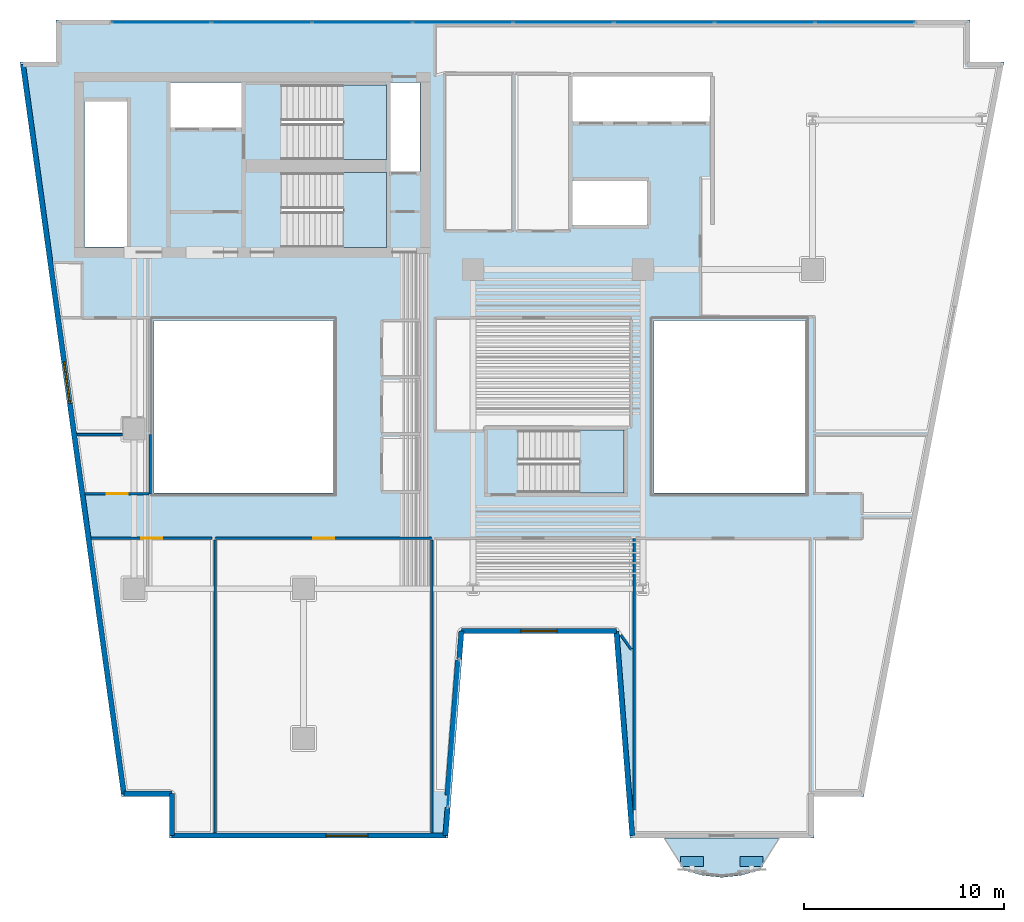
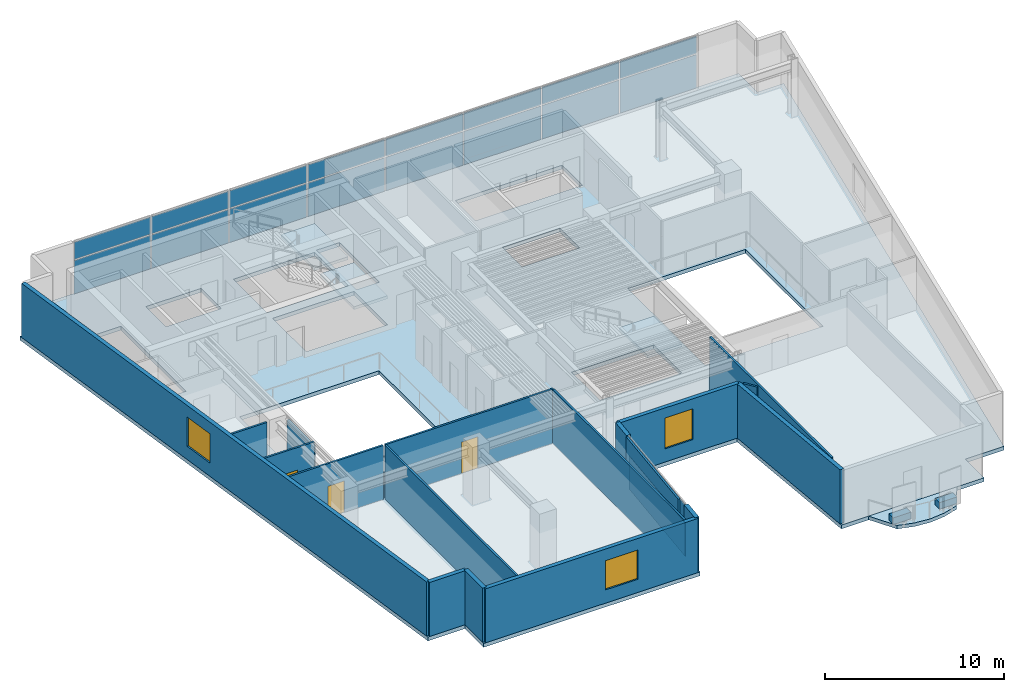
# One storey, part 5 of 13: 20 plates, 18 walls, 5 slabs, 3 doors, 3 windows, 6 openings, 5 elements without a shape of their own.
"""IFC4 building model written with IfcOpenShell, lengths in metres."""

import ifcopenshell
import ifcopenshell.guid

model = None  # the IFC model being written
_history = None  # IfcOwnerHistory: only IFC2X3 demands one
_inside = {}  # id of a spatial element -> (the spatial element, [elements in it])
_under = {}  # id of a project, library or spatial element -> (it, [spatial elements below it])
_declared = {}  # id of a project -> (the project, [libraries it declares])
_typed = {}  # id of a type object -> (the type object, [elements of that type])
_made_of = {}  # id of a material, layer set ... -> (it, [elements and type objects made of it])


def new_model(schema):
    """Start an empty IFC model of exactly this schema.

    Asked for "IFC4X3", IfcOpenShell would pick the latest addendum, in which some entities
    have other attributes; the version numbers below select the first issue.
    IFC2X3 requires an IfcOwnerHistory on every rooted entity: one is made here for all.
    """
    global model, _history
    if schema == "IFC4X3":
        model = ifcopenshell.file(schema_version=(4, 3, 0, 0))
    else:
        model = ifcopenshell.file(schema=schema)
    _inside.clear()
    _under.clear()
    _declared.clear()
    _typed.clear()
    _made_of.clear()
    _history = None
    if model.schema == "IFC2X3":
        org = make("IfcOrganization", Name="unknown")
        user = make(
            "IfcPersonAndOrganization",
            ThePerson=make("IfcPerson", FamilyName="unknown"),
            TheOrganization=org,
        )
        app = make(
            "IfcApplication",
            ApplicationDeveloper=org,
            Version="unknown",
            ApplicationFullName="unknown",
            ApplicationIdentifier="unknown",
        )
        _history = make(
            "IfcOwnerHistory",
            OwningUser=user,
            OwningApplication=app,
            ChangeAction="ADDED",
            CreationDate=0,
        )
    return model


def make(cls, **values):
    """One entity of the class cls with the attributes given. An attribute that is None is left unset."""
    return model.create_entity(
        cls, **{name: value for name, value in values.items() if value is not None}
    )


def rooted(cls, **values):
    """An entity with a GlobalId (a new one), such as an element, a storey or a relation."""
    return make(cls, GlobalId=ifcopenshell.guid.new(), OwnerHistory=_history, **values)


def si_unit(unit_type, name, prefix=None):
    """IfcSIUnit, for example si_unit("LENGTHUNIT", "METRE", prefix="MILLI")."""
    return make("IfcSIUnit", UnitType=unit_type, Prefix=prefix, Name=name)


def assignment(units):
    """IfcUnitAssignment: the units of a project."""
    return None if units is None else make("IfcUnitAssignment", Units=units)


def point(xyz):
    """IfcCartesianPoint."""
    return None if xyz is None else make("IfcCartesianPoint", Coordinates=xyz)


def direction(xyz):
    """IfcDirection."""
    return None if xyz is None else make("IfcDirection", DirectionRatios=xyz)


def frame(location, z_axis=None, x_axis=None):
    """IfcAxis2Placement3D, a coordinate frame: its origin and axes. An axis left out is left unset."""
    return make(
        "IfcAxis2Placement3D",
        Location=point(location),
        Axis=direction(z_axis),
        RefDirection=direction(x_axis),
    )


def frame_2d(location, x_axis=None):
    """IfcAxis2Placement2D, a coordinate frame in the plane: its origin and x axis."""
    return make(
        "IfcAxis2Placement2D", Location=point(location), RefDirection=direction(x_axis)
    )


def origin():
    """The frame at (0, 0, 0) with its axes left unset."""
    return frame((0.0, 0.0, 0.0))


def origin_2d():
    """The frame at (0, 0) in the plane with its x axis left unset."""
    return frame_2d((0.0, 0.0))


def place(relative_to, where):
    """IfcLocalPlacement: puts the frame where relative to a parent placement (None: the world)."""
    return make(
        "IfcLocalPlacement", PlacementRelTo=relative_to, RelativePlacement=where
    )


def context(
    kind, dimensions, precision=None, world=None, true_north=None, identifier=None
):
    """IfcGeometricRepresentationContext, for example the 3D "Model" context."""
    return make(
        "IfcGeometricRepresentationContext",
        ContextIdentifier=identifier,
        ContextType=kind,
        CoordinateSpaceDimension=dimensions,
        Precision=precision,
        WorldCoordinateSystem=world,
        TrueNorth=true_north,
    )


def subcontext(parent, identifier, kind, view, scale=None):
    """IfcGeometricRepresentationSubContext, for example "Body" below "Model"."""
    return make(
        "IfcGeometricRepresentationSubContext",
        ContextIdentifier=identifier,
        ContextType=kind,
        ParentContext=parent,
        TargetScale=scale,
        TargetView=view,
    )


def project(units=None, contexts=None):
    """IfcProject with its units and contexts."""
    return rooted(
        "IfcProject",
        Name="project",
        RepresentationContexts=contexts,
        UnitsInContext=assignment(units),
    )


def spatial(cls, under=None, at=None, **own):
    """A site, building, storey or space (cls), placed at a placement, below another one or the project."""
    s = rooted(cls, ObjectPlacement=at, **own)
    if under is not None:
        _under.setdefault(under.id(), (under, []))[1].append(s)
    return s


def polyline(points):
    """IfcPolyline through the points."""
    return make("IfcPolyline", Points=[point(p) for p in points])


def profile(cls, at=None, kind="AREA", **sizes):
    """A parametric profile (cls). Its sizes go by their IFC names, for example OverallWidth=200.0."""
    return make(cls, ProfileType=kind, Position=at, **sizes)


def rectangle(**sizes):
    """IfcRectangleProfileDef."""
    return profile("IfcRectangleProfileDef", **sizes)


def outline(outer, holes=None, kind="AREA"):
    """IfcArbitraryClosedProfileDef: a profile drawn as a closed curve; with holes, ...WithVoids."""
    if holes is None:
        return make("IfcArbitraryClosedProfileDef", ProfileType=kind, OuterCurve=outer)
    return make(
        "IfcArbitraryProfileDefWithVoids",
        ProfileType=kind,
        OuterCurve=outer,
        InnerCurves=holes,
    )


def extrude(swept, where, along, depth):
    """IfcExtrudedAreaSolid: the profile swept, set in the frame where, extruded along a direction by depth."""
    return make(
        "IfcExtrudedAreaSolid",
        SweptArea=swept,
        Position=where,
        ExtrudedDirection=direction(along),
        Depth=depth,
    )


def shape(context_of_items, identifier, shape_type, items):
    """IfcShapeRepresentation: the items that make up one representation, for example the "Body"."""
    return make(
        "IfcShapeRepresentation",
        ContextOfItems=context_of_items,
        RepresentationIdentifier=identifier,
        RepresentationType=shape_type,
        Items=items,
    )


def material(Name=None, Category=None):
    """IfcMaterial."""
    return make("IfcMaterial", Name=Name, Category=Category)


def layer(
    of_material, thickness, ventilated=None, Name=None, Category=None, Priority=None
):
    """IfcMaterialLayer: one layer of a wall or slab, of a material (None: an air gap)."""
    return make(
        "IfcMaterialLayer",
        Material=of_material,
        LayerThickness=thickness,
        IsVentilated=ventilated,
        Name=Name,
        Category=Category,
        Priority=Priority,
    )


def layer_set(layers, Name=None):
    """IfcMaterialLayerSet."""
    return make("IfcMaterialLayerSet", MaterialLayers=layers, LayerSetName=Name)


def made_of(thing, what):
    """Note that an element or type object is made of a material, layer set ...; save() writes the relation."""
    if what is not None:
        _made_of.setdefault(what.id(), (what, []))[1].append(thing)
    return thing


def type_object(cls, material=None, **own):
    """A type object (cls), such as IfcWallType, which elements share."""
    return made_of(rooted(cls, **own), material)


def element(
    cls,
    number,
    at=None,
    inside=None,
    cuts=None,
    type_object=None,
    material=None,
    context=None,
    identifier="Body",
    shape_type=None,
    held_by="IfcProductDefinitionShape",
    body=None,
    shapes=None,
    **own,
):
    """One element of the class cls, such as IfcWall. Its Tag is "e" and its number.

    at: its placement. inside: the storey or other place that contains it. cuts: it is an
    opening in that element (IfcRelVoidsElement). A single representation is given by context,
    identifier, shape_type and body (its items); several are given by shapes. held_by: the class
    of the entity that holds the representations. save() writes the other relations.
    """
    e = rooted(cls, Tag="e%d" % number, ObjectPlacement=at, **own)
    if body is not None:
        shapes = [shape(context, identifier, shape_type, body)]
    if shapes is not None:
        e.Representation = make(held_by, Representations=shapes)
    if inside is not None:
        _inside.setdefault(inside.id(), (inside, []))[1].append(e)
    if cuts is not None:
        rooted(
            "IfcRelVoidsElement", RelatingBuildingElement=cuts, RelatedOpeningElement=e
        )
    if type_object is not None:
        _typed.setdefault(type_object.id(), (type_object, []))[1].append(e)
    return made_of(e, material)


def fill(opening, filler):
    """IfcRelFillsElement: the door or window that sits in an opening."""
    return rooted(
        "IfcRelFillsElement",
        RelatingOpeningElement=opening,
        RelatedBuildingElement=filler,
    )


def aggregate(whole, parts):
    """IfcRelAggregates: a whole, such as a stair, and the parts it consists of."""
    return rooted("IfcRelAggregates", RelatingObject=whole, RelatedObjects=parts)


def save(model, path):
    """Write the relations noted so far, then the file.

    IfcRelAggregates (storeys below a building ...), IfcRelContainedInSpatialStructure (elements
    in a storey), IfcRelDefinesByType, IfcRelAssociatesMaterial and IfcRelDeclares: one each for
    every whole, place, type object, material and project.
    """
    for whole, parts in _under.values():
        aggregate(whole, parts)
    for where, things in _inside.values():
        rooted(
            "IfcRelContainedInSpatialStructure",
            RelatedElements=things,
            RelatingStructure=where,
        )
    for kind, things in _typed.values():
        rooted("IfcRelDefinesByType", RelatedObjects=things, RelatingType=kind)
    for what, things in _made_of.values():
        rooted("IfcRelAssociatesMaterial", RelatedObjects=things, RelatingMaterial=what)
    for by, libraries in _declared.values():
        rooted("IfcRelDeclares", RelatingContext=by, RelatedDefinitions=libraries)
    model.write(path)


model = new_model("IFC4")

# Units and contexts
model_context = context("Model", 3, precision=1e-05, world=origin(), true_north=direction((0.0, 1.0)))
body_context = subcontext(model_context, "Body", "Model", "MODEL_VIEW")
ifc_project = project(units=[si_unit("LENGTHUNIT", "METRE"), si_unit("AREAUNIT", "SQUARE_METRE"), si_unit("VOLUMEUNIT", "CUBIC_METRE"), si_unit("PLANEANGLEUNIT", "RADIAN"), si_unit("MASSUNIT", "GRAM", prefix="KILO")], contexts=[model_context])

# Site, building, storey
site_placement = place(None, origin())
site = spatial("IfcSite", under=ifc_project, at=site_placement, CompositionType="ELEMENT")
building_placement = place(site_placement, origin())
building = spatial("IfcBuilding", under=site, at=building_placement, Name="Caeloran Harvest Quay", CompositionType="ELEMENT")
storey_placement = place(building_placement, frame((0.0, 0.0, 127.199951171875)))
storey = spatial("IfcBuildingStorey", under=building, at=storey_placement, Name="L29", CompositionType="ELEMENT", Elevation=127.199951171875)

# Slab
ifc_material_1 = material(Name="Concrete C50/60", Category="concrete")
ifc_layer_1 = layer(ifc_material_1, 0.239990234375, Name="Concrete C50/60")
ifc_layer_set_1 = layer_set([ifc_layer_1], Name="Concrete C50/60")
slab_type_1 = type_object("IfcSlabType", Name="BALCONY-BL-240", PredefinedType="FLOOR", material=ifc_layer_set_1)
slab_1_placement = place(storey_placement, frame((0.0, 0.0, -0.239990234375)))
element("IfcSlab", 1, at=slab_1_placement, inside=storey, type_object=slab_type_1, Name="L29 Scalloped Cantilevered Planted Balcony Slab", PredefinedType="FLOOR", context=body_context, shape_type="SweptSolid", body=[
    extrude(outline(polyline([(39.869873046875, 0.9072265625), (38.913818359375, 0.63427734375), (37.95751953125, 0.5341796875), (37.001220703125, 0.63427734375), (36.045166015625, 0.9072265625), (35.100830078125, 2.5), (40.814208984375, 2.5), (39.869873046875, 0.9072265625)])), origin(), (0.0, 0.0, 1.0), 0.239990234375),
])

# Curtain wall, plates
ifc_material_2 = material(Name="Aluminium 6063-T6 and Low-E Glazing", Category="aluminium")
ifc_layer_2 = layer(ifc_material_2, 0.18994140625, Name="Aluminium 6063-T6 and Low-E Glazing")
ifc_layer_set_2 = layer_set([ifc_layer_2], Name="Aluminium 6063-T6 and Low-E Glazing")
curtain_wall_type = type_object("IfcCurtainWallType", Name="CW-SYS-CW-3", PredefinedType="USERDEFINED", material=ifc_layer_set_2)
curtain_wall_1_placement = place(storey_placement, origin())
curtain_wall_1 = element("IfcCurtainWall", 2, at=curtain_wall_1_placement, inside=storey, type_object=curtain_wall_type, Name="L29 Unitised Curtain Wall CW-3 Run 6", ObjectType="CURTAIN_WALL", PredefinedType="USERDEFINED")
ifc_material_3 = material(Name="Low-E Double Glazed Vision Glass Unit", Category="glass")
ifc_layer_3 = layer(ifc_material_3, 0.035888671875, Name="Low-E Double Glazed Vision Glass Unit")
ifc_layer_set_3 = layer_set([ifc_layer_3], Name="Low-E Double Glazed Vision Glass Unit")
plate_type_1 = type_object("IfcPlateType", Name="CW-VISION-PANEL", PredefinedType="CURTAIN_PANEL", material=ifc_layer_set_3)
plate_1_placement = place(storey_placement, frame((9.871337890625, 43.3701171875, 0.080078125), z_axis=(0.0, 0.0, 1.0), x_axis=(1.0, 0.0, 0.0)))
plate_1 = element("IfcPlate", 3, at=plate_1_placement, type_object=plate_type_1, Name="CW-3 panel 1.1", PredefinedType="CURTAIN_PANEL", context=body_context, shape_type="SweptSolid", body=[
    extrude(rectangle(XDim=4.922607421875, YDim=0.035888671875, at=origin_2d()), origin(), (0.0, 0.0, 1.0), 2.280029296875),
])
plate_2_placement = place(storey_placement, frame((9.871337890625, 43.3701171875, 2.440185546875), z_axis=(0.0, 0.0, 1.0), x_axis=(1.0, 0.0, 0.0)))
plate_2 = element("IfcPlate", 4, at=plate_2_placement, type_object=plate_type_1, Name="CW-3 panel 1.2", PredefinedType="CURTAIN_PANEL", context=body_context, shape_type="SweptSolid", body=[
    extrude(rectangle(XDim=4.922607421875, YDim=0.035888671875, at=origin_2d()), origin(), (0.0, 0.0, 1.0), 1.169921875),
])
plate_3_placement = place(storey_placement, frame((14.893798828125, 43.3701171875, 0.080078125), z_axis=(0.0, 0.0, 1.0), x_axis=(1.0, 0.0, 0.0)))
plate_3 = element("IfcPlate", 5, at=plate_3_placement, type_object=plate_type_1, Name="CW-3 panel 2.1", PredefinedType="CURTAIN_PANEL", context=body_context, shape_type="SweptSolid", body=[
    extrude(rectangle(XDim=4.96240234375, YDim=0.035888671875, at=origin_2d()), origin(), (0.0, 0.0, 1.0), 2.280029296875),
])
plate_4_placement = place(storey_placement, frame((14.893798828125, 43.3701171875, 2.440185546875), z_axis=(0.0, 0.0, 1.0), x_axis=(1.0, 0.0, 0.0)))
plate_4 = element("IfcPlate", 6, at=plate_4_placement, type_object=plate_type_1, Name="CW-3 panel 2.2", PredefinedType="CURTAIN_PANEL", context=body_context, shape_type="SweptSolid", body=[
    extrude(rectangle(XDim=4.96240234375, YDim=0.035888671875, at=origin_2d()), origin(), (0.0, 0.0, 1.0), 1.169921875),
])
plate_5_placement = place(storey_placement, frame((19.936279296875, 43.3701171875, 0.080078125), z_axis=(0.0, 0.0, 1.0), x_axis=(1.0, 0.0, 0.0)))
plate_5 = element("IfcPlate", 7, at=plate_5_placement, type_object=plate_type_1, Name="CW-3 panel 3.1", PredefinedType="CURTAIN_PANEL", context=body_context, shape_type="SweptSolid", body=[
    extrude(rectangle(XDim=4.96240234375, YDim=0.035888671875, at=origin_2d()), origin(), (0.0, 0.0, 1.0), 2.280029296875),
])
plate_6_placement = place(storey_placement, frame((19.936279296875, 43.3701171875, 2.440185546875), z_axis=(0.0, 0.0, 1.0), x_axis=(1.0, 0.0, 0.0)))
plate_6 = element("IfcPlate", 8, at=plate_6_placement, type_object=plate_type_1, Name="CW-3 panel 3.2", PredefinedType="CURTAIN_PANEL", context=body_context, shape_type="SweptSolid", body=[
    extrude(rectangle(XDim=4.96240234375, YDim=0.035888671875, at=origin_2d()), origin(), (0.0, 0.0, 1.0), 1.169921875),
])
plate_7_placement = place(storey_placement, frame((24.978759765625, 43.3701171875, 0.080078125), z_axis=(0.0, 0.0, 1.0), x_axis=(1.0, 0.0, 0.0)))
plate_7 = element("IfcPlate", 9, at=plate_7_placement, type_object=plate_type_1, Name="CW-3 panel 4.1", PredefinedType="CURTAIN_PANEL", context=body_context, shape_type="SweptSolid", body=[
    extrude(rectangle(XDim=4.96240234375, YDim=0.035888671875, at=origin_2d()), origin(), (0.0, 0.0, 1.0), 2.280029296875),
])
plate_8_placement = place(storey_placement, frame((24.978759765625, 43.3701171875, 2.440185546875), z_axis=(0.0, 0.0, 1.0), x_axis=(1.0, 0.0, 0.0)))
plate_8 = element("IfcPlate", 10, at=plate_8_placement, type_object=plate_type_1, Name="CW-3 panel 4.2", PredefinedType="CURTAIN_PANEL", context=body_context, shape_type="SweptSolid", body=[
    extrude(rectangle(XDim=4.96240234375, YDim=0.035888671875, at=origin_2d()), origin(), (0.0, 0.0, 1.0), 1.169921875),
])
plate_9_placement = place(storey_placement, frame((30.021240234375, 43.3701171875, 0.080078125), z_axis=(0.0, 0.0, 1.0), x_axis=(1.0, 0.0, 0.0)))
plate_9 = element("IfcPlate", 11, at=plate_9_placement, type_object=plate_type_1, Name="CW-3 panel 5.1", PredefinedType="CURTAIN_PANEL", context=body_context, shape_type="SweptSolid", body=[
    extrude(rectangle(XDim=4.96240234375, YDim=0.035888671875, at=origin_2d()), origin(), (0.0, 0.0, 1.0), 2.280029296875),
])
plate_10_placement = place(storey_placement, frame((30.021240234375, 43.3701171875, 2.440185546875), z_axis=(0.0, 0.0, 1.0), x_axis=(1.0, 0.0, 0.0)))
plate_10 = element("IfcPlate", 12, at=plate_10_placement, type_object=plate_type_1, Name="CW-3 panel 5.2", PredefinedType="CURTAIN_PANEL", context=body_context, shape_type="SweptSolid", body=[
    extrude(rectangle(XDim=4.96240234375, YDim=0.035888671875, at=origin_2d()), origin(), (0.0, 0.0, 1.0), 1.169921875),
])
plate_11_placement = place(storey_placement, frame((35.063720703125, 43.3701171875, 0.080078125), z_axis=(0.0, 0.0, 1.0), x_axis=(1.0, 0.0, 0.0)))
plate_11 = element("IfcPlate", 13, at=plate_11_placement, type_object=plate_type_1, Name="CW-3 panel 6.1", PredefinedType="CURTAIN_PANEL", context=body_context, shape_type="SweptSolid", body=[
    extrude(rectangle(XDim=4.96240234375, YDim=0.035888671875, at=origin_2d()), origin(), (0.0, 0.0, 1.0), 2.280029296875),
])
plate_12_placement = place(storey_placement, frame((35.063720703125, 43.3701171875, 2.440185546875), z_axis=(0.0, 0.0, 1.0), x_axis=(1.0, 0.0, 0.0)))
plate_12 = element("IfcPlate", 14, at=plate_12_placement, type_object=plate_type_1, Name="CW-3 panel 6.2", PredefinedType="CURTAIN_PANEL", context=body_context, shape_type="SweptSolid", body=[
    extrude(rectangle(XDim=4.96240234375, YDim=0.035888671875, at=origin_2d()), origin(), (0.0, 0.0, 1.0), 1.169921875),
])
plate_13_placement = place(storey_placement, frame((40.106201171875, 43.3701171875, 0.080078125), z_axis=(0.0, 0.0, 1.0), x_axis=(1.0, 0.0, 0.0)))
plate_13 = element("IfcPlate", 15, at=plate_13_placement, type_object=plate_type_1, Name="CW-3 panel 7.1", PredefinedType="CURTAIN_PANEL", context=body_context, shape_type="SweptSolid", body=[
    extrude(rectangle(XDim=4.96240234375, YDim=0.035888671875, at=origin_2d()), origin(), (0.0, 0.0, 1.0), 2.280029296875),
])
plate_14_placement = place(storey_placement, frame((40.106201171875, 43.3701171875, 2.440185546875), z_axis=(0.0, 0.0, 1.0), x_axis=(1.0, 0.0, 0.0)))
plate_14 = element("IfcPlate", 16, at=plate_14_placement, type_object=plate_type_1, Name="CW-3 panel 7.2", PredefinedType="CURTAIN_PANEL", context=body_context, shape_type="SweptSolid", body=[
    extrude(rectangle(XDim=4.96240234375, YDim=0.035888671875, at=origin_2d()), origin(), (0.0, 0.0, 1.0), 1.169921875),
])
plate_15_placement = place(storey_placement, frame((45.128662109375, 43.3701171875, 0.080078125), z_axis=(0.0, 0.0, 1.0), x_axis=(1.0, 0.0, 0.0)))
plate_15 = element("IfcPlate", 17, at=plate_15_placement, type_object=plate_type_1, Name="CW-3 panel 8.1", PredefinedType="CURTAIN_PANEL", context=body_context, shape_type="SweptSolid", body=[
    extrude(rectangle(XDim=4.922607421875, YDim=0.035888671875, at=origin_2d()), origin(), (0.0, 0.0, 1.0), 2.280029296875),
])
plate_16_placement = place(storey_placement, frame((45.128662109375, 43.3701171875, 2.440185546875), z_axis=(0.0, 0.0, 1.0), x_axis=(1.0, 0.0, 0.0)))
plate_16 = element("IfcPlate", 18, at=plate_16_placement, type_object=plate_type_1, Name="CW-3 panel 8.2", PredefinedType="CURTAIN_PANEL", context=body_context, shape_type="SweptSolid", body=[
    extrude(rectangle(XDim=4.922607421875, YDim=0.035888671875, at=origin_2d()), origin(), (0.0, 0.0, 1.0), 1.169921875),
])
aggregate(curtain_wall_1, [plate_1, plate_2, plate_3, plate_4, plate_5, plate_6, plate_7, plate_8, plate_9, plate_10, plate_11, plate_12, plate_13, plate_14, plate_15, plate_16])

curtain_wall_2_placement = place(storey_placement, origin())
curtain_wall_2 = element("IfcCurtainWall", 19, at=curtain_wall_2_placement, inside=storey, type_object=curtain_wall_type, Name="L29 Unitised Curtain Wall CW-3 Run 15", ObjectType="CURTAIN_WALL", PredefinedType="USERDEFINED")
plate_17_placement = place(storey_placement, frame((24.509765625, 7.7548828125, 0.080078125), z_axis=(0.0, 0.0, 1.0), x_axis=(-0.077821861046, -0.996967280277, 0.0)))
plate_17 = element("IfcPlate", 20, at=plate_17_placement, type_object=plate_type_1, Name="CW-3 panel 1.1", PredefinedType="CURTAIN_PANEL", context=body_context, shape_type="SweptSolid", body=[
    extrude(rectangle(XDim=7.3212890625, YDim=0.035888671875, at=origin_2d()), origin(), (0.0, 0.0, 1.0), 2.280029296875),
])
plate_18_placement = place(storey_placement, frame((24.509765625, 7.7548828125, 2.440185546875), z_axis=(0.0, 0.0, 1.0), x_axis=(-0.077821861046, -0.996967280277, 0.0)))
plate_18 = element("IfcPlate", 21, at=plate_18_placement, type_object=plate_type_1, Name="CW-3 panel 1.2", PredefinedType="CURTAIN_PANEL", context=body_context, shape_type="SweptSolid", body=[
    extrude(rectangle(XDim=7.3212890625, YDim=0.035888671875, at=origin_2d()), origin(), (0.0, 0.0, 1.0), 1.169921875),
])
aggregate(curtain_wall_2, [plate_17, plate_18])

# Plates
ifc_material_4 = material(Name="Precast concrete C50/60", Category="concrete")
ifc_layer_4 = layer(ifc_material_4, 0.449951171875, Name="Precast concrete C50/60")
ifc_layer_set_4 = layer_set([ifc_layer_4], Name="Precast concrete C50/60")
plate_type_2 = type_object("IfcPlateType", Name="PLANTER-TROUGH-450", PredefinedType="USERDEFINED", material=ifc_layer_set_4)
for number, where, z_axis, x_axis, name in (
    (22, (39.44921875, 1.330810546875, 0.0), (0.0, 0.0, 1.0), (1.0, 0.0, 0.0), "L29 Balcony Vertical-Greenery Precast PLANTER Trough 1"),
    (23, (36.4658203125, 1.330810546875, 0.0), (0.0, 0.0, 1.0), (1.0, 0.0, 0.0), "L29 Balcony Vertical-Greenery Precast PLANTER Trough 2"),
):
    element("IfcPlate", number, at=place(storey_placement, frame(where, z_axis=z_axis, x_axis=x_axis)), inside=storey, type_object=plate_type_2, Name=name, ObjectType="PLANTER", PredefinedType="USERDEFINED", context=body_context, shape_type="SweptSolid", body=[
        extrude(rectangle(XDim=1.14990234375, YDim=0.47998046875, at=origin_2d()), origin(), (0.0, 0.0, 1.0), 0.449951171875),
    ])

# Slab
ifc_layer_5 = layer(ifc_material_1, 0.260009765625, Name="Concrete C50/60")
ifc_layer_set_5 = layer_set([ifc_layer_5], Name="Concrete C50/60")
slab_type_2 = type_object("IfcSlabType", Name="SLAB-FS-260", PredefinedType="FLOOR", material=ifc_layer_set_5)
slab_2_placement = place(storey_placement, frame((0.0, 0.0, -0.260009765625)))
element("IfcSlab", 24, at=slab_2_placement, inside=storey, type_object=slab_type_2, Name="L29 Structural Floor Slab", PredefinedType="FLOOR", context=body_context, shape_type="SweptSolid", body=[
    extrude(outline(polyline([(10.27001953125, 2.5), (24.22998046875, 2.5), (25.030029296875, 12.75), (32.554931640625, 12.75), (33.35498046875, 2.5), (42.570068359375, 2.5), (42.570068359375, 4.60009765625), (45.071044921875, 4.60009765625), (52.09912109375, 41.39990234375), (50.39990234375, 41.39990234375), (50.39990234375, 43.5), (4.60009765625, 43.5), (4.60009765625, 41.39990234375), (2.790283203125, 41.39990234375), (7.879638671875, 4.60009765625), (10.27001953125, 4.60009765625), (10.27001953125, 2.5)]), holes=[polyline([(27.75, 19.800048828125), (27.75, 22.949951171875), (33.050048828125, 22.949951171875), (33.050048828125, 19.800048828125), (27.75, 19.800048828125)]), polyline([(18.5, 19.800048828125), (9.5, 19.800048828125), (9.5, 28.449951171875), (18.5, 28.449951171875), (18.5, 19.800048828125)]), polyline([(42.14990234375, 19.800048828125), (34.550048828125, 19.800048828125), (34.550048828125, 28.449951171875), (42.14990234375, 28.449951171875), (42.14990234375, 19.800048828125)]), polyline([(15.89990234375, 35.85009765625), (21.14990234375, 35.85009765625), (21.14990234375, 32.10009765625), (15.89990234375, 32.10009765625), (15.89990234375, 35.85009765625)]), polyline([(30.47998046875, 33.219970703125), (30.47998046875, 35.429931640625), (34.199951171875, 35.429931640625), (34.199951171875, 33.219970703125), (30.47998046875, 33.219970703125)]), polyline([(8.159912109375, 32.1201171875), (6.02001953125, 32.1201171875), (6.02001953125, 39.419921875), (8.159912109375, 39.419921875), (8.159912109375, 32.1201171875)]), polyline([(22.830078125, 35.919921875), (21.35009765625, 35.919921875), (21.35009765625, 40.3798828125), (22.830078125, 40.3798828125), (22.830078125, 35.919921875)]), polyline([(15.89990234375, 36.5), (15.89990234375, 40.25), (21.14990234375, 40.25), (21.14990234375, 36.5), (15.89990234375, 36.5)]), polyline([(10.320068359375, 38.1201171875), (10.320068359375, 40.3798828125), (13.89990234375, 40.3798828125), (13.89990234375, 38.1201171875), (10.320068359375, 38.1201171875)]), polyline([(30.47998046875, 38.419921875), (30.47998046875, 40.679931640625), (37.3798828125, 40.679931640625), (37.3798828125, 38.419921875), (30.47998046875, 38.419921875)])]), origin(), (0.0, 0.0, 1.0), 0.260009765625),
])

# Stair, slab
stair_type_1 = type_object("IfcStairType", Name="STAIR-STC-180", PredefinedType="HALF_TURN_STAIR", material=ifc_material_1)
stair_1_placement = place(storey_placement, origin())
stair_1 = element("IfcStair", 25, at=stair_1_placement, inside=storey, type_object=stair_type_1, Name="L29 Core Pressurized Exit Stair ST-C1", PredefinedType="HALF_TURN_STAIR")
ifc_layer_6 = layer(ifc_material_1, 0.219970703125, Name="Concrete C50/60")
ifc_layer_set_6 = layer_set([ifc_layer_6], Name="Concrete C50/60")
slab_type_3 = type_object("IfcSlabType", Name="STAIR-LANDING-220", PredefinedType="LANDING", material=ifc_layer_set_6)
slab_3_placement = place(storey_placement, frame((0.0, 0.0, 1.775146484375)))
slab_3 = element("IfcSlab", 26, at=slab_3_placement, type_object=slab_type_3, Name="ST-C1 landing 1", PredefinedType="LANDING", context=body_context, shape_type="SweptSolid", body=[
    extrude(outline(polyline([(18.97998046875, 36.5), (21.14990234375, 36.5), (21.14990234375, 40.25), (18.97998046875, 40.25), (18.97998046875, 36.5)])), origin(), (0.0, 0.0, 1.0), 0.199951171875),
])
aggregate(stair_1, [slab_3])

stair_2_placement = place(storey_placement, origin())
stair_2 = element("IfcStair", 27, at=stair_2_placement, inside=storey, type_object=stair_type_1, Name="L29 Core Pressurized Exit Stair ST-C2", PredefinedType="HALF_TURN_STAIR")
slab_4_placement = place(storey_placement, frame((0.0, 0.0, 1.775146484375)))
slab_4 = element("IfcSlab", 28, at=slab_4_placement, type_object=slab_type_3, Name="ST-C2 landing 1", PredefinedType="LANDING", context=body_context, shape_type="SweptSolid", body=[
    extrude(outline(polyline([(18.97998046875, 32.10009765625), (21.14990234375, 32.10009765625), (21.14990234375, 35.85009765625), (18.97998046875, 35.85009765625), (18.97998046875, 32.10009765625)])), origin(), (0.0, 0.0, 1.0), 0.199951171875),
])
aggregate(stair_2, [slab_4])

stair_type_2 = type_object("IfcStairType", Name="STAIR-STW-150", PredefinedType="HALF_TURN_STAIR", material=ifc_material_1)
stair_3_placement = place(storey_placement, origin())
stair_3 = element("IfcStair", 29, at=stair_3_placement, inside=storey, type_object=stair_type_2, Name="L29 East Wing Protected Exit Stair ST-W1", PredefinedType="HALF_TURN_STAIR")
slab_5_placement = place(storey_placement, frame((0.0, 0.0, 1.775146484375)))
slab_5 = element("IfcSlab", 30, at=slab_5_placement, type_object=slab_type_3, Name="ST-W1 landing 1", PredefinedType="LANDING", context=body_context, shape_type="SweptSolid", body=[
    extrude(outline(polyline([(30.830078125, 19.800048828125), (33.050048828125, 19.800048828125), (33.050048828125, 22.949951171875), (30.830078125, 22.949951171875), (30.830078125, 19.800048828125)])), origin(), (0.0, 0.0, 1.0), 0.199951171875),
])
aggregate(stair_3, [slab_5])

# Walls
ifc_layer_7 = layer(ifc_material_4, 0.260009765625, Name="Precast concrete C50/60")
ifc_layer_set_7 = layer_set([ifc_layer_7], Name="Precast concrete C50/60")
wall_type_1 = type_object("IfcWallType", Name="ENV-WALL-EW-260", PredefinedType="STANDARD", material=ifc_layer_set_7)
wall_1_placement = place(storey_placement, frame((10.39990234375, 2.6298828125, 0.0), z_axis=(0.0, 0.0, 1.0), x_axis=(0.0, 1.0, 0.0)))
element("IfcWall", 31, at=wall_1_placement, inside=storey, type_object=wall_type_1, Name="L29 Exterior Precast Concrete Facade Wall 1", PredefinedType="STANDARD", context=body_context, shape_type="SweptSolid", body=[
    extrude(rectangle(XDim=2.10009765625, YDim=0.260009765625, at=frame_2d((1.050048828125, 0.0))), origin(), (0.0, 0.0, 1.0), 3.68994140625),
])
wall_2_placement = place(storey_placement, frame((10.39990234375, 4.72998046875, 0.0), z_axis=(0.0, 0.0, 1.0), x_axis=(-1.0, 0.0, 0.0)))
element("IfcWall", 32, at=wall_2_placement, inside=storey, type_object=wall_type_1, Name="L29 Exterior Precast Concrete Facade Wall 2", PredefinedType="STANDARD", context=body_context, shape_type="SweptSolid", body=[
    extrude(rectangle(XDim=2.406982421875, YDim=0.260009765625, at=frame_2d((1.20361328125, 0.0))), origin(), (0.0, 0.0, 1.0), 3.68994140625),
])

# Wall, opening, window
wall_3_placement = place(storey_placement, frame((7.992919921875, 4.72998046875, 0.0), z_axis=(0.0, 0.0, 1.0), x_axis=(-0.136989009016, 0.990572567462, 0.0)))
wall_3 = element("IfcWall", 33, at=wall_3_placement, inside=storey, type_object=wall_type_1, Name="L29 Exterior Precast Concrete Facade Wall 3", PredefinedType="STANDARD", context=body_context, shape_type="SweptSolid", body=[
    extrude(rectangle(XDim=36.8876953125, YDim=0.260009765625, at=frame_2d((18.44384765625, 0.0))), origin(), (0.0, 0.0, 1.0), 3.68994140625),
])
opening_1_placement = place(wall_3_placement, frame((19.738037109375, 0.0, 0.89990234375)))
opening_1 = element("IfcOpeningElement", 34, at=opening_1_placement, cuts=wall_3, Name="Opening W-06", PredefinedType="OPENING", context=body_context, shape_type="SweptSolid", body=[
    extrude(rectangle(XDim=2.10009765625, YDim=2.0, at=frame_2d((1.050048828125, 1.0))), frame((0.0, 0.14013671875, 0.0), z_axis=(0.0, -1.0, 0.0), x_axis=(1.0, 0.0, 0.0)), (0.0, 0.0, 1.0), 0.280029296875),
])
ifc_material_5 = material(Name="Aluminium-Framed Low-E Laminated Glass", Category="aluminium")
window_type_1 = type_object("IfcWindowType", Name="WIN-W-06", PartitioningType="DOUBLE_PANEL_VERTICAL", PredefinedType="WINDOW", material=ifc_material_5)
window_1_placement = place(opening_1_placement, origin())
window_1 = element("IfcWindow", 35, at=window_1_placement, inside=storey, type_object=window_type_1, Name="L29 Facade Punched Window W-06", OverallHeight=2.0, OverallWidth=2.10009765625, PartitioningType="DOUBLE_PANEL_VERTICAL", PredefinedType="WINDOW", context=body_context, shape_type="SweptSolid", body=[
    extrude(rectangle(XDim=2.10009765625, YDim=2.0, at=frame_2d((1.050048828125, 1.0))), frame((0.0, 0.030029296875, 0.0), z_axis=(0.0, -1.0, 0.0), x_axis=(1.0, 0.0, 0.0)), (0.0, 0.0, 1.0), 0.06005859375),
])
fill(opening_1, window_1)

# Wall
wall_4_placement = place(storey_placement, frame((33.47509765625, 2.6298828125, 0.0), z_axis=(0.0, 0.0, 1.0), x_axis=(-0.077793257511, 0.996969512616, 0.0)))
element("IfcWall", 36, at=wall_4_placement, inside=storey, type_object=wall_type_1, Name="L29 Exterior Precast Concrete Facade Wall 13", PredefinedType="STANDARD", context=body_context, shape_type="SweptSolid", body=[
    extrude(rectangle(XDim=10.28125, YDim=0.260009765625, at=frame_2d((5.140625, 0.0))), origin(), (0.0, 0.0, 1.0), 3.68994140625),
])

# Wall, opening, window
wall_5_placement = place(storey_placement, frame((32.67529296875, 12.8798828125, 0.0), z_axis=(0.0, 0.0, 1.0), x_axis=(-1.0, 0.0, 0.0)))
wall_5 = element("IfcWall", 37, at=wall_5_placement, inside=storey, type_object=wall_type_1, Name="L29 Exterior Precast Concrete Facade Wall 14", PredefinedType="STANDARD", context=body_context, shape_type="SweptSolid", body=[
    extrude(rectangle(XDim=7.765380859375, YDim=0.260009765625, at=frame_2d((3.8828125, 0.0))), origin(), (0.0, 0.0, 1.0), 3.68994140625),
])
opening_2_placement = place(wall_5_placement, frame((2.98291015625, 0.0, 0.89990234375)))
opening_2 = element("IfcOpeningElement", 38, at=opening_2_placement, cuts=wall_5, Name="Opening W-01", PredefinedType="OPENING", context=body_context, shape_type="SweptSolid", body=[
    extrude(rectangle(XDim=1.800048828125, YDim=2.10009765625, at=frame_2d((0.89990234375, 1.050048828125))), frame((0.0, 0.14013671875, 0.0), z_axis=(0.0, -1.0, 0.0), x_axis=(1.0, 0.0, 0.0)), (0.0, 0.0, 1.0), 0.280029296875),
])
window_type_2 = type_object("IfcWindowType", Name="WIN-W-01", PartitioningType="SINGLE_PANEL", PredefinedType="WINDOW", material=ifc_material_5)
window_2_placement = place(opening_2_placement, origin())
window_2 = element("IfcWindow", 39, at=window_2_placement, inside=storey, type_object=window_type_2, Name="L29 Facade Punched Window W-01", OverallHeight=2.10009765625, OverallWidth=1.800048828125, PartitioningType="SINGLE_PANEL", PredefinedType="WINDOW", context=body_context, shape_type="SweptSolid", body=[
    extrude(rectangle(XDim=1.800048828125, YDim=2.10009765625, at=frame_2d((0.89990234375, 1.050048828125))), frame((0.0, 0.030029296875, 0.0), z_axis=(0.0, -1.0, 0.0), x_axis=(1.0, 0.0, 0.0)), (0.0, 0.0, 1.0), 0.06005859375),
])
fill(opening_2, window_2)

# Walls
for number, where, z_axis, x_axis, name in (
    (40, (24.909912109375, 12.8798828125, 0.0), (0.0, 0.0, 1.0), (-0.077949956455, -0.996957273051, 0.0), "L29 Exterior Facade Corner Pier Wall 15A"),
    (41, (24.21875, 4.025634765625, 0.0), (0.0, 0.0, 1.0), (-0.077776627829, -0.996970810086, 0.0), "L29 Exterior Facade Corner Pier Wall 15B"),
):
    element("IfcWall", number, at=place(storey_placement, frame(where, z_axis=z_axis, x_axis=x_axis)), inside=storey, type_object=wall_type_1, Name=name, PredefinedType="STANDARD", context=body_context, shape_type="SweptSolid", body=[
        extrude(rectangle(XDim=1.39990234375, YDim=0.260009765625, at=frame_2d((0.699951171875, 0.0))), origin(), (0.0, 0.0, 1.0), 3.68994140625),
    ])

# Wall, opening, window
wall_6_placement = place(storey_placement, frame((24.10986328125, 2.6298828125, 0.0), z_axis=(0.0, 0.0, 1.0), x_axis=(-1.0, 0.0, 0.0)))
wall_6 = element("IfcWall", 42, at=wall_6_placement, inside=storey, type_object=wall_type_1, Name="L29 Exterior Precast Concrete Facade Wall 16", PredefinedType="STANDARD", context=body_context, shape_type="SweptSolid", body=[
    extrude(rectangle(XDim=13.7099609375, YDim=0.260009765625, at=frame_2d((6.85498046875, 0.0))), origin(), (0.0, 0.0, 1.0), 3.68994140625),
])
opening_3_placement = place(wall_6_placement, frame((3.885986328125, 0.0, 0.89990234375)))
opening_3 = element("IfcOpeningElement", 43, at=opening_3_placement, cuts=wall_6, Name="Opening W-06", PredefinedType="OPENING", context=body_context, shape_type="SweptSolid", body=[
    extrude(rectangle(XDim=2.10009765625, YDim=2.0, at=frame_2d((1.050048828125, 1.0))), frame((0.0, 0.14013671875, 0.0), z_axis=(0.0, -1.0, 0.0), x_axis=(1.0, 0.0, 0.0)), (0.0, 0.0, 1.0), 0.280029296875),
])
window_3_placement = place(opening_3_placement, origin())
window_3 = element("IfcWindow", 44, at=window_3_placement, inside=storey, type_object=window_type_1, Name="L29 Facade Punched Window W-06", OverallHeight=2.0, OverallWidth=2.10009765625, PartitioningType="DOUBLE_PANEL_VERTICAL", PredefinedType="WINDOW", context=body_context, shape_type="SweptSolid", body=[
    extrude(rectangle(XDim=2.10009765625, YDim=2.0, at=frame_2d((1.050048828125, 1.0))), frame((0.0, 0.030029296875, 0.0), z_axis=(0.0, -1.0, 0.0), x_axis=(1.0, 0.0, 0.0)), (0.0, 0.0, 1.0), 0.06005859375),
])
fill(opening_3, window_3)

# Wall, opening, door
ifc_material_6 = material(Name="Twin-Stud Mineral-Wool Acoustic Gypsum Partition", Category="gypsum")
ifc_layer_8 = layer(ifc_material_6, 0.125, Name="Twin-Stud Mineral-Wool Acoustic Gypsum Partition")
ifc_layer_set_8 = layer_set([ifc_layer_8], Name="Twin-Stud Mineral-Wool Acoustic Gypsum Partition")
wall_type_2 = type_object("IfcWallType", Name="INT-WALL-PW-125", PredefinedType="PARTITIONING", material=ifc_layer_set_8)
wall_7_placement = place(storey_placement, frame((12.580078125, 17.52001953125, 0.0), z_axis=(0.0, 0.0, 1.0), x_axis=(1.0, 0.0, 0.0)))
wall_7 = element("IfcWall", 45, at=wall_7_placement, inside=storey, type_object=wall_type_2, Name="Precision Agriculture Engineering Office Partition Wall", PredefinedType="PARTITIONING", context=body_context, shape_type="SweptSolid", body=[
    extrude(rectangle(XDim=10.83984375, YDim=0.125, at=frame_2d((5.419921875, 0.0))), origin(), (0.0, 0.0, 1.0), 3.68994140625),
])
opening_4_placement = place(wall_7_placement, frame((4.89501953125, 0.0, 0.0)))
opening_4 = element("IfcOpeningElement", 46, at=opening_4_placement, cuts=wall_7, Name="Opening ID-03", PredefinedType="OPENING", context=body_context, shape_type="SweptSolid", body=[
    extrude(rectangle(XDim=1.050048828125, YDim=2.14990234375, at=frame_2d((0.52490234375, 1.074951171875))), frame((0.0, 0.072509765625, 0.0), z_axis=(0.0, -1.0, 0.0), x_axis=(1.0, 0.0, 0.0)), (0.0, 0.0, 1.0), 0.14501953125),
])
ifc_material_7 = material(Name="FSC Solid-Core Oak Timber Leaf", Category="wood")
door_type = type_object("IfcDoorType", Name="INTDOOR-ID-03", OperationType="NOTDEFINED", PredefinedType="DOOR", material=ifc_material_7)
door_1_placement = place(opening_4_placement, origin())
door_1 = element("IfcDoor", 47, at=door_1_placement, inside=storey, type_object=door_type, Name="Precision Agriculture Engineering Office Access Door", OperationType="SINGLE_SWING_LEFT", OverallHeight=2.14990234375, OverallWidth=1.050048828125, PredefinedType="DOOR", context=body_context, shape_type="SweptSolid", body=[
    extrude(rectangle(XDim=1.050048828125, YDim=2.14990234375, at=frame_2d((0.52490234375, 1.074951171875))), frame((0.0, 0.02490234375, 0.0), z_axis=(0.0, -1.0, 0.0), x_axis=(1.0, 0.0, 0.0)), (0.0, 0.0, 1.0), 0.050048828125),
])
fill(opening_4, door_1)

# Walls
for number, where, z_axis, x_axis, name in (
    (48, (23.419921875, 17.452392578125, 0.0), (0.0, 0.0, 1.0), (0.0, -1.0, 0.0), "Precision Agriculture Engineering Office Partition Wall"),
    (49, (12.580078125, 2.764892578125, 0.0), (0.0, 0.0, 1.0), (0.0, 1.0, 0.0), "Precision Agriculture Engineering Office Partition Wall"),
):
    element("IfcWall", number, at=place(storey_placement, frame(where, z_axis=z_axis, x_axis=x_axis)), inside=storey, type_object=wall_type_2, Name=name, PredefinedType="PARTITIONING", context=body_context, shape_type="SweptSolid", body=[
        extrude(rectangle(XDim=14.6875, YDim=0.125, at=frame_2d((7.34375, 0.0))), origin(), (0.0, 0.0, 1.0), 3.68994140625),
    ])
wall_8_placement = place(storey_placement, frame((33.580078125, 3.915283203125, 0.0), z_axis=(0.0, 0.0, 1.0), x_axis=(0.0, 1.0, 0.0)))
element("IfcWall", 50, at=wall_8_placement, inside=storey, type_object=wall_type_2, Name="Controlled-Climate Simulation Lab Partition Wall", PredefinedType="PARTITIONING", context=body_context, shape_type="SweptSolid", body=[
    extrude(rectangle(XDim=13.604736328125, YDim=0.125, at=frame_2d((6.80224609375, 0.0))), origin(), (0.0, 0.0, 1.0), 3.68994140625),
])

# Wall, opening, door
wall_9_placement = place(storey_placement, frame((6.3603515625, 17.52001953125, 0.0), z_axis=(0.0, 0.0, 1.0), x_axis=(1.0, 0.0, 0.0)))
wall_9 = element("IfcWall", 51, at=wall_9_placement, inside=storey, type_object=wall_type_2, Name="Drone Telemetry Computing Office Partition Wall", PredefinedType="PARTITIONING", context=body_context, shape_type="SweptSolid", body=[
    extrude(rectangle(XDim=6.0595703125, YDim=0.125, at=frame_2d((3.02978515625, 0.0))), origin(), (0.0, 0.0, 1.0), 3.68994140625),
])
opening_5_placement = place(wall_9_placement, frame((2.5048828125, 0.0, 0.0)))
opening_5 = element("IfcOpeningElement", 52, at=opening_5_placement, cuts=wall_9, Name="Opening ID-03", PredefinedType="OPENING", context=body_context, shape_type="SweptSolid", body=[
    extrude(rectangle(XDim=1.050048828125, YDim=2.14990234375, at=frame_2d((0.52490234375, 1.074951171875))), frame((0.0, 0.072509765625, 0.0), z_axis=(0.0, -1.0, 0.0), x_axis=(1.0, 0.0, 0.0)), (0.0, 0.0, 1.0), 0.14501953125),
])
door_2_placement = place(opening_5_placement, origin())
door_2 = element("IfcDoor", 53, at=door_2_placement, inside=storey, type_object=door_type, Name="Drone Telemetry Computing Office Access Door", OperationType="SINGLE_SWING_LEFT", OverallHeight=2.14990234375, OverallWidth=1.050048828125, PredefinedType="DOOR", context=body_context, shape_type="SweptSolid", body=[
    extrude(rectangle(XDim=1.050048828125, YDim=2.14990234375, at=frame_2d((0.52490234375, 1.074951171875))), frame((0.0, 0.02490234375, 0.0), z_axis=(0.0, -1.0, 0.0), x_axis=(1.0, 0.0, 0.0)), (0.0, 0.0, 1.0), 0.050048828125),
])
fill(opening_5, door_2)

# Walls
wall_10_placement = place(storey_placement, frame((33.419921875, 11.9609375, 0.0), z_axis=(0.0, 0.0, 1.0), x_axis=(-0.58517236533, 0.810908936228, 0.0)))
element("IfcWall", 54, at=wall_10_placement, inside=storey, type_object=wall_type_2, Name="Boardroom and Client Briefing Room Partition Wall", PredefinedType="PARTITIONING", context=body_context, shape_type="SweptSolid", body=[
    extrude(rectangle(XDim=0.896484375, YDim=0.125, at=frame_2d((0.4482421875, 0.0))), origin(), (0.0, 0.0, 1.0), 3.68994140625),
])
wall_11_placement = place(storey_placement, frame((24.66552734375, 11.419921875, 0.0), z_axis=(0.0, 0.0, 1.0), x_axis=(-0.077847945506, -0.996965243818, 0.0)))
element("IfcWall", 55, at=wall_11_placement, inside=storey, type_object=wall_type_2, Name="Boardroom and Client Briefing Room Partition Wall", PredefinedType="PARTITIONING", context=body_context, shape_type="SweptSolid", body=[
    extrude(rectangle(XDim=6.777099609375, YDim=0.125, at=frame_2d((3.388671875, 0.0))), origin(), (0.0, 0.0, 1.0), 3.68994140625),
])
wall_12_placement = place(storey_placement, frame((9.320068359375, 22.719970703125, 0.0), z_axis=(0.0, 0.0, 1.0), x_axis=(0.0, -1.0, 0.0)))
element("IfcWall", 56, at=wall_12_placement, inside=storey, type_object=wall_type_2, Name="Staff Espresso Kitchen Partition Wall", PredefinedType="PARTITIONING", context=body_context, shape_type="SweptSolid", body=[
    extrude(rectangle(XDim=2.969970703125, YDim=0.125, at=frame_2d((1.48486328125, 0.0))), origin(), (0.0, 0.0, 1.0), 3.375),
])

# Wall, opening, door
wall_13_placement = place(storey_placement, frame((9.25244140625, 19.75, 0.0), z_axis=(0.0, 0.0, 1.0), x_axis=(-1.0, 0.0, 0.0)))
wall_13 = element("IfcWall", 57, at=wall_13_placement, inside=storey, type_object=wall_type_2, Name="Staff Espresso Kitchen Partition Wall", PredefinedType="PARTITIONING", context=body_context, shape_type="SweptSolid", body=[
    extrude(rectangle(XDim=3.200439453125, YDim=0.125, at=frame_2d((1.60009765625, 0.0))), origin(), (0.0, 0.0, 1.0), 3.68994140625),
])
opening_6_placement = place(wall_13_placement, frame((1.0751953125, 0.0, 0.0)))
opening_6 = element("IfcOpeningElement", 58, at=opening_6_placement, cuts=wall_13, Name="Opening ID-03", PredefinedType="OPENING", context=body_context, shape_type="SweptSolid", body=[
    extrude(rectangle(XDim=1.050048828125, YDim=2.14990234375, at=frame_2d((0.52490234375, 1.074951171875))), frame((0.0, 0.072509765625, 0.0), z_axis=(0.0, -1.0, 0.0), x_axis=(1.0, 0.0, 0.0)), (0.0, 0.0, 1.0), 0.14501953125),
])
door_3_placement = place(opening_6_placement, origin())
door_3 = element("IfcDoor", 59, at=door_3_placement, inside=storey, type_object=door_type, Name="Staff Espresso Kitchen Access Door", OperationType="SINGLE_SWING_LEFT", OverallHeight=2.14990234375, OverallWidth=1.050048828125, PredefinedType="DOOR", context=body_context, shape_type="SweptSolid", body=[
    extrude(rectangle(XDim=1.050048828125, YDim=2.14990234375, at=frame_2d((0.52490234375, 1.074951171875))), frame((0.0, 0.02490234375, 0.0), z_axis=(0.0, -1.0, 0.0), x_axis=(1.0, 0.0, 0.0)), (0.0, 0.0, 1.0), 0.050048828125),
])
fill(opening_6, door_3)

# Wall
wall_14_placement = place(storey_placement, frame((5.641357421875, 22.719970703125, 0.0), z_axis=(0.0, 0.0, 1.0), x_axis=(1.0, 0.0, 0.0)))
element("IfcWall", 60, at=wall_14_placement, inside=storey, type_object=wall_type_2, Name="Staff Espresso Kitchen Partition Wall", PredefinedType="PARTITIONING", context=body_context, shape_type="SweptSolid", body=[
    extrude(rectangle(XDim=2.28369140625, YDim=0.125, at=frame_2d((1.141845703125, 0.0))), origin(), (0.0, 0.0, 1.0), 3.68994140625),
])

save(model, "model.ifc")
